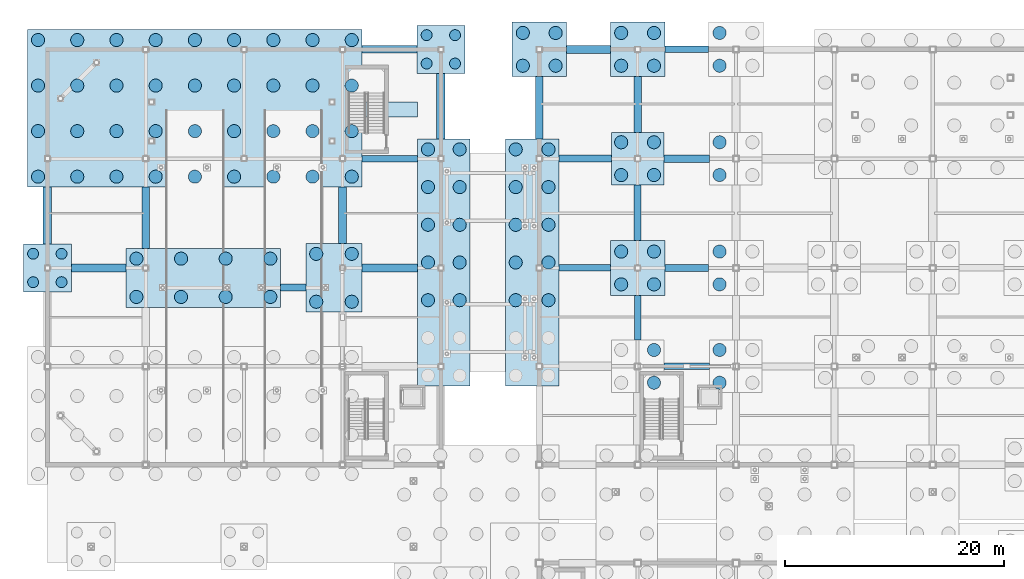
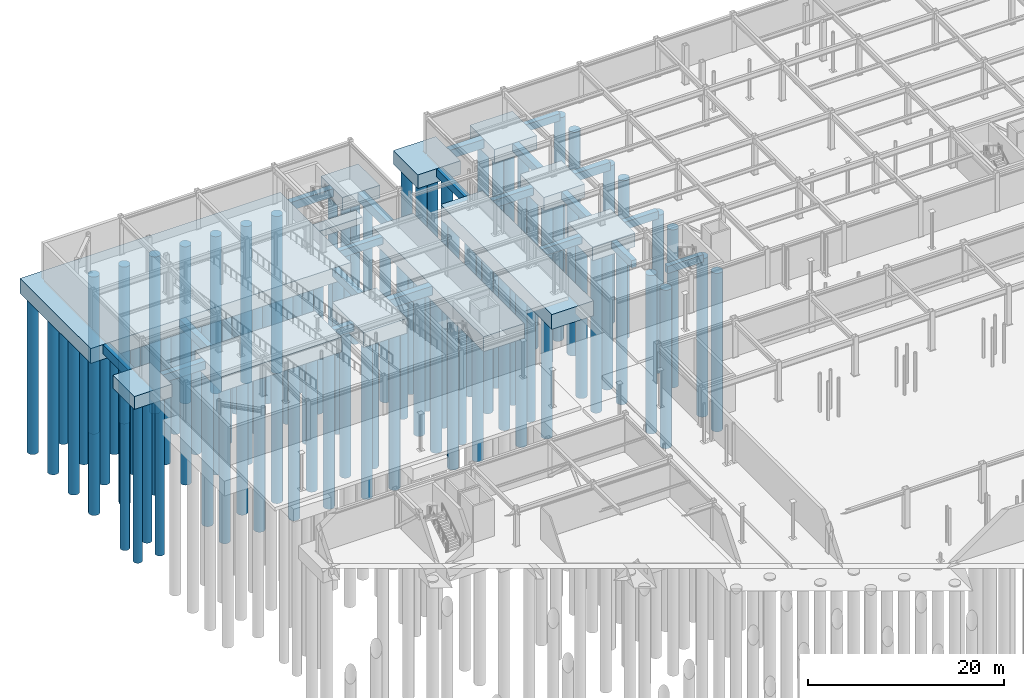
# One storey, part 5 of 74: 102 piles, 32 footings.
"""IFC4 building model written with IfcOpenShell, lengths in metres."""

from ifc_helpers import new_model, si_unit, direction, frame, origin, origin_2d, place, context, subcontext, project, spatial, polyline, rectangle, circle, outline, extrude, material, material_profile, profile_set, type_object, element, save


model = new_model("IFC4")

# Units and contexts
model_context = context("Model", 3, precision=1e-05, world=origin(), true_north=direction((0.0, 1.0)))
body_context = subcontext(model_context, "Body", "Model", "MODEL_VIEW")
ifc_project = project(units=[si_unit("LENGTHUNIT", "METRE"), si_unit("AREAUNIT", "SQUARE_METRE"), si_unit("VOLUMEUNIT", "CUBIC_METRE"), si_unit("PLANEANGLEUNIT", "RADIAN"), si_unit("MASSUNIT", "GRAM", prefix="KILO")], contexts=[model_context])

# Site, building, storey
site_placement = place(None, origin())
site = spatial("IfcSite", under=ifc_project, at=site_placement, CompositionType="ELEMENT")
building_placement = place(site_placement, origin())
building = spatial("IfcBuilding", under=site, at=building_placement, Name="Suzunagisa Mobility Hub", CompositionType="ELEMENT")
storey_placement = place(building_placement, frame((0.0, 0.0, -4.800048828125)))
storey = spatial("IfcBuildingStorey", under=building, at=storey_placement, Name="B1", CompositionType="ELEMENT", Elevation=-4.800048828125)

# Piles
ifc_material_1 = material(Name="Concrete C30/37", Category="concrete")
ifc_material_profile_1 = material_profile(ifc_material_1, circle(Radius=0.60009765625, at=origin_2d()), Name="BORED PILE D1200")
ifc_profile_set_1 = profile_set([ifc_material_profile_1], Name="Concrete C30/37")
pile_type_1 = type_object("IfcPileType", Name="Bored Pile PL-01 D1200", PredefinedType="BORED", material=ifc_profile_set_1)
for number, where, z_axis, x_axis, name in (
    (1, (-0.85009765625, 106.35009765625, -2.159912109375), (0.0, 0.0, -1.0), (1.0, 0.0, 0.0), "Bored Pile 9.1"),
    (2, (-0.85009765625, 110.5166015625, -2.159912109375), (0.0, 0.0, -1.0), (1.0, 0.0, 0.0), "Bored Pile 9.2"),
    (3, (-0.85009765625, 114.683349609375, -2.159912109375), (0.0, 0.0, -1.0), (1.0, 0.0, 0.0), "Bored Pile 9.3"),
    (4, (-0.85009765625, 118.85009765625, -2.159912109375), (0.0, 0.0, -1.0), (1.0, 0.0, 0.0), "Bored Pile 9.4"),
    (5, (2.737548828125, 106.35009765625, -2.159912109375), (0.0, 0.0, -1.0), (1.0, 0.0, 0.0), "Bored Pile 9.5"),
    (6, (2.737548828125, 110.5166015625, -2.159912109375), (0.0, 0.0, -1.0), (1.0, 0.0, 0.0), "Bored Pile 9.6"),
    (7, (2.737548828125, 114.683349609375, -2.159912109375), (0.0, 0.0, -1.0), (1.0, 0.0, 0.0), "Bored Pile 9.7"),
    (8, (2.737548828125, 118.85009765625, -2.159912109375), (0.0, 0.0, -1.0), (1.0, 0.0, 0.0), "Bored Pile 9.8"),
    (9, (6.324951171875, 106.35009765625, -2.159912109375), (0.0, 0.0, -1.0), (1.0, 0.0, 0.0), "Bored Pile 9.9"),
    (10, (6.324951171875, 110.5166015625, -2.159912109375), (0.0, 0.0, -1.0), (1.0, 0.0, 0.0), "Bored Pile 9.10"),
    (11, (6.324951171875, 114.683349609375, -2.159912109375), (0.0, 0.0, -1.0), (1.0, 0.0, 0.0), "Bored Pile 9.11"),
    (12, (6.324951171875, 118.85009765625, -2.159912109375), (0.0, 0.0, -1.0), (1.0, 0.0, 0.0), "Bored Pile 9.12"),
    (13, (9.91259765625, 106.35009765625, -2.159912109375), (0.0, 0.0, -1.0), (1.0, 0.0, 0.0), "Bored Pile 9.13"),
    (14, (9.91259765625, 110.5166015625, -2.159912109375), (0.0, 0.0, -1.0), (1.0, 0.0, 0.0), "Bored Pile 9.14"),
    (15, (9.91259765625, 114.683349609375, -2.159912109375), (0.0, 0.0, -1.0), (1.0, 0.0, 0.0), "Bored Pile 9.15"),
    (16, (9.91259765625, 118.85009765625, -2.159912109375), (0.0, 0.0, -1.0), (1.0, 0.0, 0.0), "Bored Pile 9.16"),
    (17, (13.5, 106.35009765625, -2.159912109375), (0.0, 0.0, -1.0), (1.0, 0.0, 0.0), "Bored Pile 9.17"),
    (18, (13.5, 110.5166015625, -2.159912109375), (0.0, 0.0, -1.0), (1.0, 0.0, 0.0), "Bored Pile 9.18"),
    (19, (13.5, 114.683349609375, -2.159912109375), (0.0, 0.0, -1.0), (1.0, 0.0, 0.0), "Bored Pile 9.19"),
    (20, (13.5, 118.85009765625, -2.159912109375), (0.0, 0.0, -1.0), (1.0, 0.0, 0.0), "Bored Pile 9.20"),
    (21, (17.08740234375, 106.35009765625, -2.159912109375), (0.0, 0.0, -1.0), (1.0, 0.0, 0.0), "Bored Pile 9.21"),
    (22, (17.08740234375, 110.5166015625, -2.159912109375), (0.0, 0.0, -1.0), (1.0, 0.0, 0.0), "Bored Pile 9.22"),
    (23, (17.08740234375, 114.683349609375, -2.159912109375), (0.0, 0.0, -1.0), (1.0, 0.0, 0.0), "Bored Pile 9.23"),
    (24, (17.08740234375, 118.85009765625, -2.159912109375), (0.0, 0.0, -1.0), (1.0, 0.0, 0.0), "Bored Pile 9.24"),
    (25, (20.675048828125, 106.35009765625, -2.159912109375), (0.0, 0.0, -1.0), (1.0, 0.0, 0.0), "Bored Pile 9.25"),
    (26, (20.675048828125, 110.5166015625, -2.159912109375), (0.0, 0.0, -1.0), (1.0, 0.0, 0.0), "Bored Pile 9.26"),
    (27, (20.675048828125, 114.683349609375, -2.159912109375), (0.0, 0.0, -1.0), (1.0, 0.0, 0.0), "Bored Pile 9.27"),
    (28, (20.675048828125, 118.85009765625, -2.159912109375), (0.0, 0.0, -1.0), (1.0, 0.0, 0.0), "Bored Pile 9.28"),
    (29, (24.262451171875, 106.35009765625, -2.159912109375), (0.0, 0.0, -1.0), (1.0, 0.0, 0.0), "Bored Pile 9.29"),
    (30, (24.262451171875, 110.5166015625, -2.159912109375), (0.0, 0.0, -1.0), (1.0, 0.0, 0.0), "Bored Pile 9.30"),
    (31, (24.262451171875, 114.683349609375, -2.159912109375), (0.0, 0.0, -1.0), (1.0, 0.0, 0.0), "Bored Pile 9.31"),
    (32, (24.262451171875, 118.85009765625, -2.159912109375), (0.0, 0.0, -1.0), (1.0, 0.0, 0.0), "Bored Pile 9.32"),
    (33, (27.85009765625, 106.35009765625, -2.159912109375), (0.0, 0.0, -1.0), (1.0, 0.0, 0.0), "Bored Pile 9.33"),
    (34, (27.85009765625, 110.5166015625, -2.159912109375), (0.0, 0.0, -1.0), (1.0, 0.0, 0.0), "Bored Pile 9.34"),
    (35, (27.85009765625, 114.683349609375, -2.159912109375), (0.0, 0.0, -1.0), (1.0, 0.0, 0.0), "Bored Pile 9.35"),
    (36, (27.85009765625, 118.85009765625, -2.159912109375), (0.0, 0.0, -1.0), (1.0, 0.0, 0.0), "Bored Pile 9.36"),
    (37, (8.14990234375, 95.35009765625, -2.159912109375), (0.0, 0.0, -1.0), (1.0, 0.0, 0.0), "Bored Pile 16.1"),
    (38, (8.14990234375, 98.85009765625, -2.159912109375), (0.0, 0.0, -1.0), (1.0, 0.0, 0.0), "Bored Pile 16.2"),
    (39, (12.2333984375, 95.35009765625, -2.159912109375), (0.0, 0.0, -1.0), (1.0, 0.0, 0.0), "Bored Pile 16.3"),
    (40, (12.2333984375, 98.85009765625, -2.159912109375), (0.0, 0.0, -1.0), (1.0, 0.0, 0.0), "Bored Pile 16.4"),
    (41, (16.316650390625, 95.35009765625, -2.159912109375), (0.0, 0.0, -1.0), (1.0, 0.0, 0.0), "Bored Pile 16.5"),
    (42, (16.316650390625, 98.85009765625, -2.159912109375), (0.0, 0.0, -1.0), (1.0, 0.0, 0.0), "Bored Pile 16.6"),
    (43, (20.39990234375, 95.35009765625, -2.159912109375), (0.0, 0.0, -1.0), (1.0, 0.0, 0.0), "Bored Pile 16.7"),
    (44, (20.39990234375, 98.85009765625, -2.159912109375), (0.0, 0.0, -1.0), (1.0, 0.0, 0.0), "Bored Pile 16.8"),
    (45, (24.60009765625, 94.909912109375, -2.159912109375), (0.0, 0.0, -1.0), (1.0, 0.0, 0.0), "Bored Pile 26.1"),
    (46, (24.60009765625, 99.2900390625, -2.159912109375), (0.0, 0.0, -1.0), (1.0, 0.0, 0.0), "Bored Pile 26.2"),
    (47, (27.85009765625, 94.909912109375, -2.159912109375), (0.0, 0.0, -1.0), (1.0, 0.0, 0.0), "Bored Pile 26.3"),
    (48, (27.85009765625, 99.2900390625, -2.159912109375), (0.0, 0.0, -1.0), (1.0, 0.0, 0.0), "Bored Pile 26.4"),
    (49, (34.824951171875, 95.050048828125, -2.159912109375), (0.0, 0.0, -1.0), (1.0, 0.0, 0.0), "Bored Pile 39.3"),
    (50, (34.824951171875, 98.5, -2.159912109375), (0.0, 0.0, -1.0), (1.0, 0.0, 0.0), "Bored Pile 39.4"),
    (51, (34.824951171875, 101.949951171875, -2.159912109375), (0.0, 0.0, -1.0), (1.0, 0.0, 0.0), "Bored Pile 39.5"),
    (52, (34.824951171875, 105.39990234375, -2.159912109375), (0.0, 0.0, -1.0), (1.0, 0.0, 0.0), "Bored Pile 39.6"),
    (53, (34.824951171875, 108.85009765625, -2.159912109375), (0.0, 0.0, -1.0), (1.0, 0.0, 0.0), "Bored Pile 39.7"),
    (54, (37.72509765625, 95.050048828125, -2.159912109375), (0.0, 0.0, -1.0), (1.0, 0.0, 0.0), "Bored Pile 39.10"),
    (55, (37.72509765625, 98.5, -2.159912109375), (0.0, 0.0, -1.0), (1.0, 0.0, 0.0), "Bored Pile 39.11"),
    (56, (37.72509765625, 101.949951171875, -2.159912109375), (0.0, 0.0, -1.0), (1.0, 0.0, 0.0), "Bored Pile 39.12"),
    (57, (37.72509765625, 105.39990234375, -2.159912109375), (0.0, 0.0, -1.0), (1.0, 0.0, 0.0), "Bored Pile 39.13"),
    (58, (37.72509765625, 108.85009765625, -2.159912109375), (0.0, 0.0, -1.0), (1.0, 0.0, 0.0), "Bored Pile 39.14"),
):
    element("IfcPile", number, at=place(storey_placement, frame(where, z_axis=z_axis, x_axis=x_axis)), inside=storey, type_object=pile_type_1, Name=name, PredefinedType="BORED", context=body_context, shape_type="SweptSolid", body=[
        extrude(circle(Radius=0.60009765625, at=origin_2d()), origin(), (0.0, 0.0, 1.0), 19.5400390625),
    ])
for number, where, z_axis, x_axis, name in (
    (59, (42.85009765625, 95.050048828125, -2.199951171875), (0.0, 0.0, -1.0), (1.0, 0.0, 0.0), "Bored Pile 41.3"),
    (60, (42.85009765625, 98.5, -2.199951171875), (0.0, 0.0, -1.0), (1.0, 0.0, 0.0), "Bored Pile 41.4"),
    (61, (42.85009765625, 101.949951171875, -2.199951171875), (0.0, 0.0, -1.0), (1.0, 0.0, 0.0), "Bored Pile 41.5"),
    (62, (42.85009765625, 105.39990234375, -2.199951171875), (0.0, 0.0, -1.0), (1.0, 0.0, 0.0), "Bored Pile 41.6"),
    (63, (42.85009765625, 108.85009765625, -2.199951171875), (0.0, 0.0, -1.0), (1.0, 0.0, 0.0), "Bored Pile 41.7"),
    (64, (45.85009765625, 95.050048828125, -2.199951171875), (0.0, 0.0, -1.0), (1.0, 0.0, 0.0), "Bored Pile 41.10"),
    (65, (45.85009765625, 98.5, -2.199951171875), (0.0, 0.0, -1.0), (1.0, 0.0, 0.0), "Bored Pile 41.11"),
    (66, (45.85009765625, 101.949951171875, -2.199951171875), (0.0, 0.0, -1.0), (1.0, 0.0, 0.0), "Bored Pile 41.12"),
    (67, (45.85009765625, 105.39990234375, -2.199951171875), (0.0, 0.0, -1.0), (1.0, 0.0, 0.0), "Bored Pile 41.13"),
    (68, (45.85009765625, 108.85009765625, -2.199951171875), (0.0, 0.0, -1.0), (1.0, 0.0, 0.0), "Bored Pile 41.14"),
):
    element("IfcPile", number, at=place(storey_placement, frame(where, z_axis=z_axis, x_axis=x_axis)), inside=storey, type_object=pile_type_1, Name=name, PredefinedType="BORED", context=body_context, shape_type="SweptSolid", body=[
        extrude(circle(Radius=0.60009765625, at=origin_2d()), origin(), (0.0, 0.0, 1.0), 19.5),
    ])
for number, where, z_axis, x_axis, name in (
    (69, (43.5, 116.5, -2.050048828125), (0.0, 0.0, -1.0), (1.0, 0.0, 0.0), "Bored Pile 42.1"),
    (70, (46.5, 116.5, -2.050048828125), (0.0, 0.0, -1.0), (1.0, 0.0, 0.0), "Bored Pile 42.2"),
    (71, (43.5, 119.5, -2.050048828125), (0.0, 0.0, -1.0), (1.0, 0.0, 0.0), "Bored Pile 42.3"),
    (72, (46.5, 119.5, -2.050048828125), (0.0, 0.0, -1.0), (1.0, 0.0, 0.0), "Bored Pile 42.4"),
):
    element("IfcPile", number, at=place(storey_placement, frame(where, z_axis=z_axis, x_axis=x_axis)), inside=storey, type_object=pile_type_1, Name=name, PredefinedType="BORED", context=body_context, shape_type="SweptSolid", body=[
        extrude(circle(Radius=0.60009765625, at=origin_2d()), origin(), (0.0, 0.0, 1.0), 19.64990234375),
    ])
for number, where, z_axis, x_axis, name in (
    (73, (55.5, 87.5, -2.0), (0.0, 0.0, -1.0), (1.0, 0.0, 0.0), "Bored Pile 45.2"),
    (74, (55.5, 90.5, -2.0), (0.0, 0.0, -1.0), (1.0, 0.0, 0.0), "Bored Pile 45.4"),
):
    element("IfcPile", number, at=place(storey_placement, frame(where, z_axis=z_axis, x_axis=x_axis)), inside=storey, type_object=pile_type_1, Name=name, PredefinedType="BORED", context=body_context, shape_type="SweptSolid", body=[
        extrude(circle(Radius=0.60009765625, at=origin_2d()), origin(), (0.0, 0.0, 1.0), 19.699951171875),
    ])
for number, where, z_axis, x_axis, name in (
    (75, (52.5, 96.5, -2.050048828125), (0.0, 0.0, -1.0), (1.0, 0.0, 0.0), "Bored Pile 46.1"),
    (76, (55.5, 96.5, -2.050048828125), (0.0, 0.0, -1.0), (1.0, 0.0, 0.0), "Bored Pile 46.2"),
    (77, (52.5, 99.5, -2.050048828125), (0.0, 0.0, -1.0), (1.0, 0.0, 0.0), "Bored Pile 46.3"),
    (78, (55.5, 99.5, -2.050048828125), (0.0, 0.0, -1.0), (1.0, 0.0, 0.0), "Bored Pile 46.4"),
):
    element("IfcPile", number, at=place(storey_placement, frame(where, z_axis=z_axis, x_axis=x_axis)), inside=storey, type_object=pile_type_1, Name=name, PredefinedType="BORED", context=body_context, shape_type="SweptSolid", body=[
        extrude(circle(Radius=0.60009765625, at=origin_2d()), origin(), (0.0, 0.0, 1.0), 19.64990234375),
    ])
for number, where, z_axis, x_axis, name in (
    (79, (52.5, 106.5, -2.0), (0.0, 0.0, -1.0), (1.0, 0.0, 0.0), "Bored Pile 47.1"),
    (80, (55.5, 106.5, -2.0), (0.0, 0.0, -1.0), (1.0, 0.0, 0.0), "Bored Pile 47.2"),
    (81, (52.5, 109.5, -2.0), (0.0, 0.0, -1.0), (1.0, 0.0, 0.0), "Bored Pile 47.3"),
    (82, (55.5, 109.5, -2.0), (0.0, 0.0, -1.0), (1.0, 0.0, 0.0), "Bored Pile 47.4"),
):
    element("IfcPile", number, at=place(storey_placement, frame(where, z_axis=z_axis, x_axis=x_axis)), inside=storey, type_object=pile_type_1, Name=name, PredefinedType="BORED", context=body_context, shape_type="SweptSolid", body=[
        extrude(circle(Radius=0.60009765625, at=origin_2d()), origin(), (0.0, 0.0, 1.0), 19.699951171875),
    ])
for number, where, z_axis, x_axis, name in (
    (83, (52.5, 116.5, -2.050048828125), (0.0, 0.0, -1.0), (1.0, 0.0, 0.0), "Bored Pile 48.1"),
    (84, (55.5, 116.5, -2.050048828125), (0.0, 0.0, -1.0), (1.0, 0.0, 0.0), "Bored Pile 48.2"),
    (85, (52.5, 119.5, -2.050048828125), (0.0, 0.0, -1.0), (1.0, 0.0, 0.0), "Bored Pile 48.3"),
    (86, (55.5, 119.5, -2.050048828125), (0.0, 0.0, -1.0), (1.0, 0.0, 0.0), "Bored Pile 48.4"),
):
    element("IfcPile", number, at=place(storey_placement, frame(where, z_axis=z_axis, x_axis=x_axis)), inside=storey, type_object=pile_type_1, Name=name, PredefinedType="BORED", context=body_context, shape_type="SweptSolid", body=[
        extrude(circle(Radius=0.60009765625, at=origin_2d()), origin(), (0.0, 0.0, 1.0), 19.64990234375),
    ])
for number, where, z_axis, x_axis, name in (
    (87, (61.5, 87.5, -2.0), (0.0, 0.0, -1.0), (1.0, 0.0, 0.0), "Bored Pile 53.1"),
    (88, (61.5, 90.5, -2.0), (0.0, 0.0, -1.0), (1.0, 0.0, 0.0), "Bored Pile 53.3"),
):
    element("IfcPile", number, at=place(storey_placement, frame(where, z_axis=z_axis, x_axis=x_axis)), inside=storey, type_object=pile_type_1, Name=name, PredefinedType="BORED", context=body_context, shape_type="SweptSolid", body=[
        extrude(circle(Radius=0.60009765625, at=origin_2d()), origin(), (0.0, 0.0, 1.0), 19.699951171875),
    ])
for number, where, z_axis, x_axis, name in (
    (89, (61.5, 96.5, -2.050048828125), (0.0, 0.0, -1.0), (1.0, 0.0, 0.0), "Bored Pile 54.1"),
    (90, (61.5, 99.5, -2.050048828125), (0.0, 0.0, -1.0), (1.0, 0.0, 0.0), "Bored Pile 54.3"),
):
    element("IfcPile", number, at=place(storey_placement, frame(where, z_axis=z_axis, x_axis=x_axis)), inside=storey, type_object=pile_type_1, Name=name, PredefinedType="BORED", context=body_context, shape_type="SweptSolid", body=[
        extrude(circle(Radius=0.60009765625, at=origin_2d()), origin(), (0.0, 0.0, 1.0), 19.64990234375),
    ])
for number, where, z_axis, x_axis, name in (
    (91, (61.5, 106.5, -2.0), (0.0, 0.0, -1.0), (1.0, 0.0, 0.0), "Bored Pile 55.1"),
    (92, (61.5, 109.5, -2.0), (0.0, 0.0, -1.0), (1.0, 0.0, 0.0), "Bored Pile 55.3"),
):
    element("IfcPile", number, at=place(storey_placement, frame(where, z_axis=z_axis, x_axis=x_axis)), inside=storey, type_object=pile_type_1, Name=name, PredefinedType="BORED", context=body_context, shape_type="SweptSolid", body=[
        extrude(circle(Radius=0.60009765625, at=origin_2d()), origin(), (0.0, 0.0, 1.0), 19.699951171875),
    ])
for number, where, z_axis, x_axis, name in (
    (93, (61.5, 116.5, -2.050048828125), (0.0, 0.0, -1.0), (1.0, 0.0, 0.0), "Bored Pile 56.1"),
    (94, (61.5, 119.5, -2.050048828125), (0.0, 0.0, -1.0), (1.0, 0.0, 0.0), "Bored Pile 56.3"),
):
    element("IfcPile", number, at=place(storey_placement, frame(where, z_axis=z_axis, x_axis=x_axis)), inside=storey, type_object=pile_type_1, Name=name, PredefinedType="BORED", context=body_context, shape_type="SweptSolid", body=[
        extrude(circle(Radius=0.60009765625, at=origin_2d()), origin(), (0.0, 0.0, 1.0), 19.64990234375),
    ])
ifc_material_profile_2 = material_profile(ifc_material_1, circle(Radius=0.5, at=origin_2d()), Name="BORED PILE D1000")
ifc_profile_set_2 = profile_set([ifc_material_profile_2], Name="Concrete C30/37")
pile_type_2 = type_object("IfcPileType", Name="Bored Pile PL-02 D1000", PredefinedType="BORED", material=ifc_profile_set_2)
for number, where, z_axis, x_axis, name in (
    (95, (-1.300048828125, 96.699951171875, -1.909912109375), (0.0, 0.0, -1.0), (1.0, 0.0, 0.0), "Bored Pile 8.1"),
    (96, (1.300048828125, 96.699951171875, -1.909912109375), (0.0, 0.0, -1.0), (1.0, 0.0, 0.0), "Bored Pile 8.2"),
    (97, (-1.300048828125, 99.300048828125, -1.909912109375), (0.0, 0.0, -1.0), (1.0, 0.0, 0.0), "Bored Pile 8.3"),
    (98, (1.300048828125, 99.300048828125, -1.909912109375), (0.0, 0.0, -1.0), (1.0, 0.0, 0.0), "Bored Pile 8.4"),
    (99, (34.699951171875, 116.699951171875, -1.909912109375), (0.0, 0.0, -1.0), (1.0, 0.0, 0.0), "Bored Pile 40.1"),
    (100, (37.300048828125, 116.699951171875, -1.909912109375), (0.0, 0.0, -1.0), (1.0, 0.0, 0.0), "Bored Pile 40.2"),
    (101, (34.699951171875, 119.300048828125, -1.909912109375), (0.0, 0.0, -1.0), (1.0, 0.0, 0.0), "Bored Pile 40.3"),
    (102, (37.300048828125, 119.300048828125, -1.909912109375), (0.0, 0.0, -1.0), (1.0, 0.0, 0.0), "Bored Pile 40.4"),
):
    element("IfcPile", number, at=place(storey_placement, frame(where, z_axis=z_axis, x_axis=x_axis)), inside=storey, type_object=pile_type_2, Name=name, PredefinedType="BORED", context=body_context, shape_type="SweptSolid", body=[
        extrude(circle(Radius=0.5, at=origin_2d()), origin(), (0.0, 0.0, 1.0), 19.7900390625),
    ])

# Footings
ifc_material_2 = material(Name="Concrete C35/45", Category="concrete")
footing_type_1 = type_object("IfcFootingType", Name="Combined Prow Pile Cap FR-03 30600x14400x1850", PredefinedType="PILE_CAP", material=ifc_material_2)
footing_1_placement = place(storey_placement, frame((13.5, 112.60009765625, -2.31005859375), z_axis=(0.0, 0.0, 1.0), x_axis=(1.0, 0.0, 0.0)))
element("IfcFooting", 103, at=footing_1_placement, inside=storey, type_object=footing_type_1, Name="Combined Prow Pile Cap 9", PredefinedType="PILE_CAP", context=body_context, shape_type="SweptSolid", body=[
    extrude(rectangle(XDim=30.60009765625, YDim=14.39990234375, at=origin_2d()), origin(), (0.0, 0.0, 1.0), 1.85009765625),
])
footing_type_2 = type_object("IfcFootingType", Name="Combined Prow Pile Cap FR-04 14150x5400x1850", PredefinedType="PILE_CAP", material=ifc_material_2)
footing_2_placement = place(storey_placement, frame((14.27490234375, 97.10009765625, -2.31005859375), z_axis=(0.0, 0.0, 1.0), x_axis=(1.0, 0.0, 0.0)))
element("IfcFooting", 104, at=footing_2_placement, inside=storey, type_object=footing_type_2, Name="Combined Prow Pile Cap 16", PredefinedType="PILE_CAP", context=body_context, shape_type="SweptSolid", body=[
    extrude(rectangle(XDim=14.14990234375, YDim=5.39990234375, at=origin_2d()), origin(), (0.0, 0.0, 1.0), 1.85009765625),
])
footing_type_3 = type_object("IfcFootingType", Name="Combined Prow Pile Cap FR-05 5150x6280x1850", PredefinedType="PILE_CAP", material=ifc_material_2)
footing_3_placement = place(storey_placement, frame((26.22509765625, 97.10009765625, -2.31005859375), z_axis=(0.0, 0.0, 1.0), x_axis=(1.0, 0.0, 0.0)))
element("IfcFooting", 105, at=footing_3_placement, inside=storey, type_object=footing_type_3, Name="Combined Prow Pile Cap 26", PredefinedType="PILE_CAP", context=body_context, shape_type="SweptSolid", body=[
    extrude(rectangle(XDim=5.14990234375, YDim=6.280029296875, at=origin_2d()), origin(), (0.0, 0.0, 1.0), 1.85009765625),
])
footing_type_4 = type_object("IfcFootingType", Name="Combined Prow Pile Cap FR-09 4800x22600x1850", PredefinedType="PILE_CAP", material=ifc_material_2)
footing_4_placement = place(storey_placement, frame((36.27490234375, 98.5, -2.31005859375), z_axis=(0.0, 0.0, 1.0), x_axis=(1.0, 0.0, 0.0)))
element("IfcFooting", 106, at=footing_4_placement, inside=storey, type_object=footing_type_4, Name="Combined Prow Pile Cap 39", PredefinedType="PILE_CAP", context=body_context, shape_type="SweptSolid", body=[
    extrude(rectangle(XDim=4.800048828125, YDim=22.60009765625, at=origin_2d()), origin(), (0.0, 0.0, 1.0), 1.85009765625),
])
footing_type_5 = type_object("IfcFootingType", Name="Combined Prow Pile Cap FR-10 4900x22600x1850", PredefinedType="PILE_CAP", material=ifc_material_2)
footing_5_placement = place(storey_placement, frame((44.35009765625, 98.5, -2.35009765625), z_axis=(0.0, 0.0, 1.0), x_axis=(1.0, 0.0, 0.0)))
element("IfcFooting", 107, at=footing_5_placement, inside=storey, type_object=footing_type_5, Name="Combined Prow Pile Cap 41", PredefinedType="PILE_CAP", context=body_context, shape_type="SweptSolid", body=[
    extrude(rectangle(XDim=4.89990234375, YDim=22.60009765625, at=origin_2d()), origin(), (0.0, 0.0, 1.0), 1.85009765625),
])
footing_type_6 = type_object("IfcFootingType", Name="Ground Tie Beam FT-03 750x1100", PredefinedType="FOOTING_BEAM", material=ifc_material_2)
footing_6_placement = place(storey_placement, frame((0.0, 0.0, -1.56005859375)))
element("IfcFooting", 108, at=footing_6_placement, inside=storey, type_object=footing_type_6, Name="Foundation Tie Beam TBX-116", PredefinedType="FOOTING_BEAM", context=body_context, shape_type="SweptSolid", body=[
    extrude(outline(polyline([(28.800048828125, 97.625), (33.875, 97.625), (33.875, 98.375), (28.800048828125, 98.375), (28.800048828125, 97.625)])), origin(), (0.0, 0.0, 1.0), 1.10009765625),
])
footing_7_placement = place(storey_placement, frame((0.0, 0.0, -1.599853515625)))
element("IfcFooting", 109, at=footing_7_placement, inside=storey, type_object=footing_type_6, Name="Foundation Tie Beam TBX-140", PredefinedType="FOOTING_BEAM", context=body_context, shape_type="SweptSolid", body=[
    extrude(outline(polyline([(47.5, 117.625), (51.5, 117.625), (51.5, 118.375), (47.5, 118.375), (47.5, 117.625)])), origin(), (0.0, 0.0, 1.0), 1.099853515625),
])
footing_8_placement = place(storey_placement, frame((0.0, 0.0, -1.56005859375)))
element("IfcFooting", 110, at=footing_8_placement, inside=storey, type_object=footing_type_6, Name="Foundation Tie Beam TBY-152", PredefinedType="FOOTING_BEAM", context=body_context, shape_type="SweptSolid", body=[
    extrude(outline(polyline([(-0.375, 100.199951171875), (0.375, 100.199951171875), (0.375, 105.39990234375), (-0.375, 105.39990234375), (-0.375, 100.199951171875)])), origin(), (0.0, 0.0, 1.0), 1.10009765625),
])
footing_9_placement = place(storey_placement, frame((0.0, 0.0, -1.56005859375)))
element("IfcFooting", 111, at=footing_9_placement, inside=storey, type_object=footing_type_6, Name="Foundation Tie Beam TBY-180", PredefinedType="FOOTING_BEAM", context=body_context, shape_type="SweptSolid", body=[
    extrude(outline(polyline([(35.625, 109.800048828125), (36.375, 109.800048828125), (36.375, 115.800048828125), (35.625, 115.800048828125), (35.625, 109.800048828125)])), origin(), (0.0, 0.0, 1.0), 1.10009765625),
])
footing_type_7 = type_object("IfcFootingType", Name="Ground Tie Beam FT-05 600x900", PredefinedType="FOOTING_BEAM", material=ifc_material_2)
footing_10_placement = place(storey_placement, frame((0.0, 0.0, -1.39990234375)))
element("IfcFooting", 112, at=footing_10_placement, inside=storey, type_object=footing_type_7, Name="Foundation Tie Beam TBX-105", PredefinedType="FOOTING_BEAM", context=body_context, shape_type="SweptSolid", body=[
    extrude(outline(polyline([(56.39990234375, 88.699951171875), (60.60009765625, 88.699951171875), (60.60009765625, 89.300048828125), (56.39990234375, 89.300048828125), (56.39990234375, 88.699951171875)])), origin(), (0.0, 0.0, 1.0), 0.89990234375),
])
footing_11_placement = place(storey_placement, frame((0.0, 0.0, -1.39990234375)))
element("IfcFooting", 113, at=footing_11_placement, inside=storey, type_object=footing_type_7, Name="Foundation Tie Beam TBX-117", PredefinedType="FOOTING_BEAM", context=body_context, shape_type="SweptSolid", body=[
    extrude(outline(polyline([(46.800048828125, 97.699951171875), (51.5, 97.699951171875), (51.5, 98.300048828125), (46.800048828125, 98.300048828125), (46.800048828125, 97.699951171875)])), origin(), (0.0, 0.0, 1.0), 0.89990234375),
])
footing_12_placement = place(storey_placement, frame((0.0, 0.0, -1.35986328125)))
element("IfcFooting", 114, at=footing_12_placement, inside=storey, type_object=footing_type_7, Name="Foundation Tie Beam TBX-129", PredefinedType="FOOTING_BEAM", context=body_context, shape_type="SweptSolid", body=[
    extrude(outline(polyline([(28.800048828125, 107.699951171875), (33.875, 107.699951171875), (33.875, 108.300048828125), (28.800048828125, 108.300048828125), (28.800048828125, 107.699951171875)])), origin(), (0.0, 0.0, 1.0), 0.89990234375),
])
footing_13_placement = place(storey_placement, frame((0.0, 0.0, -1.39990234375)))
element("IfcFooting", 115, at=footing_13_placement, inside=storey, type_object=footing_type_7, Name="Foundation Tie Beam TBX-141", PredefinedType="FOOTING_BEAM", context=body_context, shape_type="SweptSolid", body=[
    extrude(outline(polyline([(56.5, 117.699951171875), (60.5, 117.699951171875), (60.5, 118.300048828125), (56.5, 118.300048828125), (56.5, 117.699951171875)])), origin(), (0.0, 0.0, 1.0), 0.89990234375),
])
footing_14_placement = place(storey_placement, frame((0.0, 0.0, -1.39990234375)))
element("IfcFooting", 116, at=footing_14_placement, inside=storey, type_object=footing_type_7, Name="Foundation Tie Beam TBY-185", PredefinedType="FOOTING_BEAM", context=body_context, shape_type="SweptSolid", body=[
    extrude(outline(polyline([(53.699951171875, 91.39990234375), (54.300048828125, 91.39990234375), (54.300048828125, 95.5), (53.699951171875, 95.5), (53.699951171875, 91.39990234375)])), origin(), (0.0, 0.0, 1.0), 0.89990234375),
])
footing_type_8 = type_object("IfcFootingType", Name="Ground Tie Beam FT-07 650x950", PredefinedType="FOOTING_BEAM", material=ifc_material_2)
footing_15_placement = place(storey_placement, frame((0.0, 0.0, -1.409912109375)))
element("IfcFooting", 117, at=footing_15_placement, inside=storey, type_object=footing_type_8, Name="Foundation Tie Beam TBX-114", PredefinedType="FOOTING_BEAM", context=body_context, shape_type="SweptSolid", body=[
    extrude(outline(polyline([(21.35009765625, 95.875), (23.64990234375, 95.875), (23.64990234375, 96.52490234375), (21.35009765625, 96.52490234375), (21.35009765625, 95.875)])), origin(), (0.0, 0.0, 1.0), 0.949951171875),
])
footing_16_placement = place(storey_placement, frame((0.0, 0.0, -1.449951171875)))
element("IfcFooting", 118, at=footing_16_placement, inside=storey, type_object=footing_type_8, Name="Foundation Tie Beam TBX-118", PredefinedType="FOOTING_BEAM", context=body_context, shape_type="SweptSolid", body=[
    extrude(outline(polyline([(56.5, 97.675048828125), (60.5, 97.675048828125), (60.5, 98.324951171875), (56.5, 98.324951171875), (56.5, 97.675048828125)])), origin(), (0.0, 0.0, 1.0), 0.949951171875),
])
footing_17_placement = place(storey_placement, frame((0.0, 0.0, -1.449951171875)))
element("IfcFooting", 119, at=footing_17_placement, inside=storey, type_object=footing_type_8, Name="Foundation Tie Beam TBX-130", PredefinedType="FOOTING_BEAM", context=body_context, shape_type="SweptSolid", body=[
    extrude(outline(polyline([(46.800048828125, 107.675048828125), (51.60009765625, 107.675048828125), (51.60009765625, 108.324951171875), (46.800048828125, 108.324951171875), (46.800048828125, 107.675048828125)])), origin(), (0.0, 0.0, 1.0), 0.949951171875),
])
footing_18_placement = place(storey_placement, frame((0.0, 0.0, -1.449951171875)))
element("IfcFooting", 120, at=footing_18_placement, inside=storey, type_object=footing_type_8, Name="Foundation Tie Beam TBY-182", PredefinedType="FOOTING_BEAM", context=body_context, shape_type="SweptSolid", body=[
    extrude(outline(polyline([(44.675048828125, 109.800048828125), (45.324951171875, 109.800048828125), (45.324951171875, 115.5), (44.675048828125, 115.5), (44.675048828125, 109.800048828125)])), origin(), (0.0, 0.0, 1.0), 0.949951171875),
])
footing_19_placement = place(storey_placement, frame((0.0, 0.0, -1.449951171875)))
element("IfcFooting", 121, at=footing_19_placement, inside=storey, type_object=footing_type_8, Name="Foundation Tie Beam TBY-186", PredefinedType="FOOTING_BEAM", context=body_context, shape_type="SweptSolid", body=[
    extrude(outline(polyline([(53.675048828125, 100.5), (54.324951171875, 100.5), (54.324951171875, 105.60009765625), (53.675048828125, 105.60009765625), (53.675048828125, 100.5)])), origin(), (0.0, 0.0, 1.0), 0.949951171875),
])
footing_type_9 = type_object("IfcFootingType", Name="Ground Tie Beam FT-23 700x1000", PredefinedType="FOOTING_BEAM", material=ifc_material_2)
footing_20_placement = place(storey_placement, frame((0.0, 0.0, -1.4599609375)))
element("IfcFooting", 122, at=footing_20_placement, inside=storey, type_object=footing_type_9, Name="Foundation Tie Beam TBX-115", PredefinedType="FOOTING_BEAM", context=body_context, shape_type="SweptSolid", body=[
    extrude(outline(polyline([(2.199951171875, 97.64990234375), (7.199951171875, 97.64990234375), (7.199951171875, 98.35009765625), (2.199951171875, 98.35009765625), (2.199951171875, 97.64990234375)])), origin(), (0.0, 0.0, 1.0), 1.0),
])
footing_21_placement = place(storey_placement, frame((0.0, 0.0, -1.5)))
element("IfcFooting", 123, at=footing_21_placement, inside=storey, type_object=footing_type_9, Name="Foundation Tie Beam TBX-131", PredefinedType="FOOTING_BEAM", context=body_context, shape_type="SweptSolid", body=[
    extrude(outline(polyline([(56.39990234375, 107.64990234375), (60.60009765625, 107.64990234375), (60.60009765625, 108.35009765625), (56.39990234375, 108.35009765625), (56.39990234375, 107.64990234375)])), origin(), (0.0, 0.0, 1.0), 1.0),
])
footing_22_placement = place(storey_placement, frame((0.0, 0.0, -1.4599609375)))
element("IfcFooting", 124, at=footing_22_placement, inside=storey, type_object=footing_type_9, Name="Foundation Tie Beam TBX-139", PredefinedType="FOOTING_BEAM", context=body_context, shape_type="SweptSolid", body=[
    extrude(outline(polyline([(28.800048828125, 117.64990234375), (33.800048828125, 117.64990234375), (33.800048828125, 118.35009765625), (28.800048828125, 118.35009765625), (28.800048828125, 117.64990234375)])), origin(), (0.0, 0.0, 1.0), 1.0),
])
footing_23_placement = place(storey_placement, frame((0.0, 0.0, -1.4599609375)))
element("IfcFooting", 125, at=footing_23_placement, inside=storey, type_object=footing_type_9, Name="Foundation Tie Beam TBY-159", PredefinedType="FOOTING_BEAM", context=body_context, shape_type="SweptSolid", body=[
    extrude(outline(polyline([(8.64990234375, 99.800048828125), (9.35009765625, 99.800048828125), (9.35009765625, 105.39990234375), (8.64990234375, 105.39990234375), (8.64990234375, 99.800048828125)])), origin(), (0.0, 0.0, 1.0), 1.0),
])
footing_24_placement = place(storey_placement, frame((0.0, 0.0, -1.4599609375)))
element("IfcFooting", 126, at=footing_24_placement, inside=storey, type_object=footing_type_9, Name="Foundation Tie Beam TBY-175", PredefinedType="FOOTING_BEAM", context=body_context, shape_type="SweptSolid", body=[
    extrude(outline(polyline([(26.64990234375, 100.239990234375), (27.35009765625, 100.239990234375), (27.35009765625, 105.39990234375), (26.64990234375, 105.39990234375), (26.64990234375, 100.239990234375)])), origin(), (0.0, 0.0, 1.0), 1.0),
])
footing_25_placement = place(storey_placement, frame((0.0, 0.0, -1.5)))
element("IfcFooting", 127, at=footing_25_placement, inside=storey, type_object=footing_type_9, Name="Foundation Tie Beam TBY-187", PredefinedType="FOOTING_BEAM", context=body_context, shape_type="SweptSolid", body=[
    extrude(outline(polyline([(53.64990234375, 110.39990234375), (54.35009765625, 110.39990234375), (54.35009765625, 115.5), (53.64990234375, 115.5), (53.64990234375, 110.39990234375)])), origin(), (0.0, 0.0, 1.0), 1.0),
])
footing_type_10 = type_object("IfcFootingType", Name="Pile Cap FT-01 5000x5000x1700", PredefinedType="PILE_CAP", material=ifc_material_2)
for number, where, z_axis, x_axis, name in (
    (128, (45.0, 118.0, -2.19970703125), (0.0, 0.0, 1.0), (1.0, 0.0, 0.0), "Pile Cap 42"),
    (129, (54.0, 98.0, -2.19970703125), (0.0, 0.0, 1.0), (1.0, 0.0, 0.0), "Pile Cap 46"),
    (130, (54.0, 118.0, -2.19970703125), (0.0, 0.0, 1.0), (1.0, 0.0, 0.0), "Pile Cap 48"),
):
    element("IfcFooting", number, at=place(storey_placement, frame(where, z_axis=z_axis, x_axis=x_axis)), inside=storey, type_object=footing_type_10, Name=name, PredefinedType="PILE_CAP", context=body_context, shape_type="SweptSolid", body=[
        extrude(rectangle(XDim=5.0, YDim=5.0, at=origin_2d()), origin(), (0.0, 0.0, 1.0), 1.699951171875),
    ])
footing_type_11 = type_object("IfcFootingType", Name="Pile Cap FT-14 4800x4800x1650", PredefinedType="PILE_CAP", material=ifc_material_2)
footing_26_placement = place(storey_placement, frame((54.0, 108.0, -2.14990234375), z_axis=(0.0, 0.0, 1.0), x_axis=(1.0, 0.0, 0.0)))
element("IfcFooting", 131, at=footing_26_placement, inside=storey, type_object=footing_type_11, Name="Pile Cap 47", PredefinedType="PILE_CAP", context=body_context, shape_type="SweptSolid", body=[
    extrude(rectangle(XDim=4.800048828125, YDim=4.800048828125, at=origin_2d()), origin(), (0.0, 0.0, 1.0), 1.64990234375),
])
footing_type_12 = type_object("IfcFootingType", Name="Pile Cap FT-16 4400x4400x1600", PredefinedType="PILE_CAP", material=ifc_material_2)
for number, where, z_axis, x_axis, name in (
    (132, (0.0, 98.0, -2.06005859375), (0.0, 0.0, 1.0), (1.0, 0.0, 0.0), "Pile Cap 8"),
    (133, (36.0, 118.0, -2.06005859375), (0.0, 0.0, 1.0), (1.0, 0.0, 0.0), "Pile Cap 40"),
):
    element("IfcFooting", number, at=place(storey_placement, frame(where, z_axis=z_axis, x_axis=x_axis)), inside=storey, type_object=footing_type_12, Name=name, PredefinedType="PILE_CAP", context=body_context, shape_type="SweptSolid", body=[
        extrude(rectangle(XDim=4.39990234375, YDim=4.39990234375, at=origin_2d()), origin(), (0.0, 0.0, 1.0), 1.60009765625),
    ])
footing_type_13 = type_object("IfcFootingType", Name="Strip Footing FT-04 1400x800", PredefinedType="STRIP_FOOTING", material=ifc_material_2)
footing_27_placement = place(storey_placement, frame((0.0, 0.0, -1.260009765625)))
element("IfcFooting", 134, at=footing_27_placement, inside=storey, type_object=footing_type_13, Name="Core Strip Footing SF-6", PredefinedType="STRIP_FOOTING", context=body_context, shape_type="SweptSolid", body=[
    extrude(outline(polyline([(28.800048828125, 111.800048828125), (33.875, 111.800048828125), (33.875, 113.199951171875), (28.800048828125, 113.199951171875), (28.800048828125, 111.800048828125)])), origin(), (0.0, 0.0, 1.0), 0.800048828125),
])

save(model, "model.ifc")
